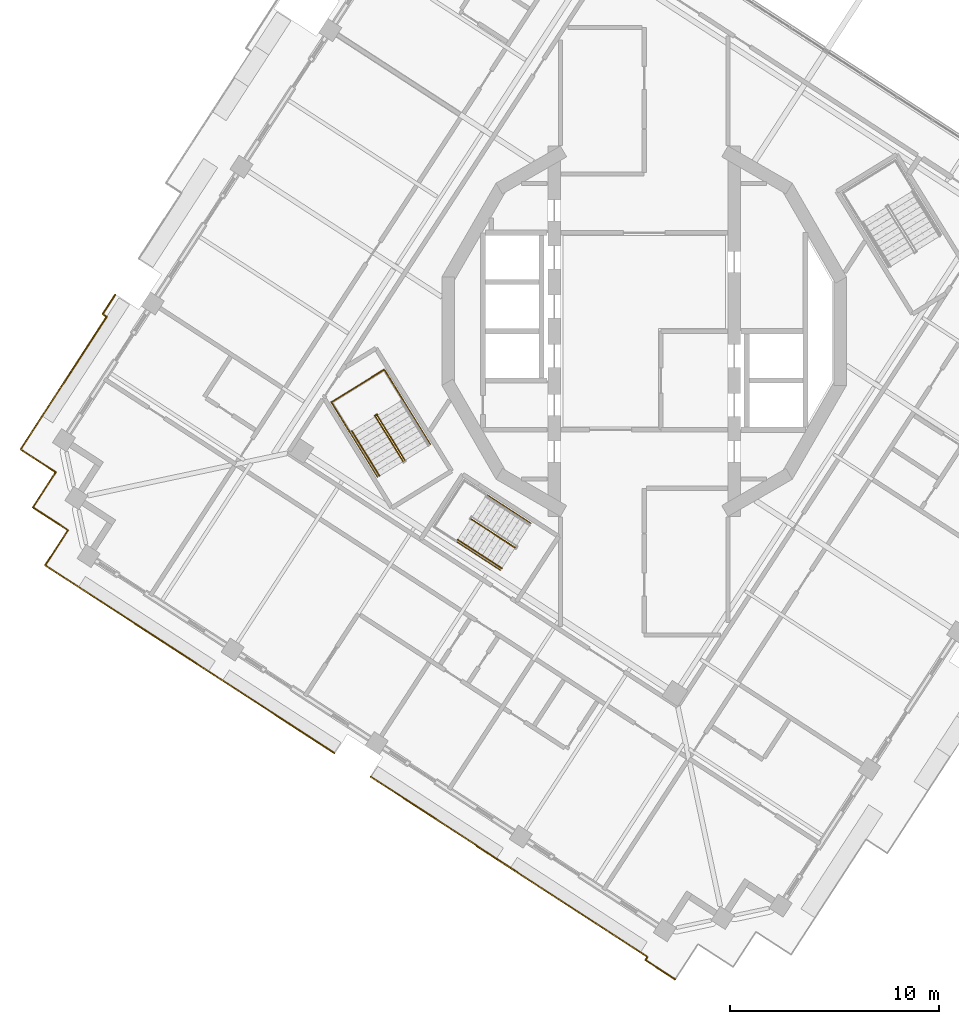
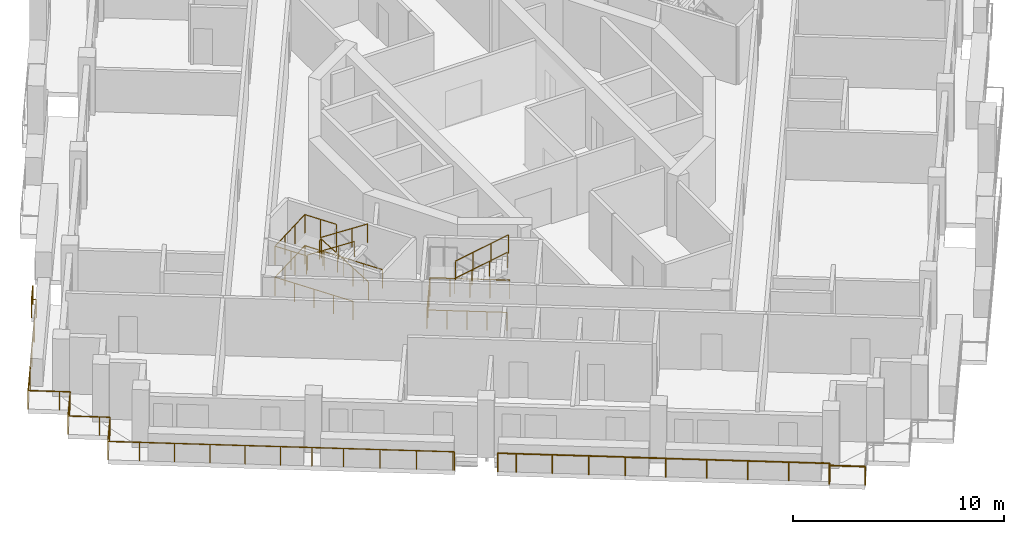
# One storey, part 13 of 17: 11 railings.
"""IFC4 building model written with IfcOpenShell, lengths in metres."""

import ifcopenshell
import ifcopenshell.guid

model = None  # the IFC model being written
_history = None  # IfcOwnerHistory: only IFC2X3 demands one
_inside = {}  # id of a spatial element -> (the spatial element, [elements in it])
_under = {}  # id of a project, library or spatial element -> (it, [spatial elements below it])
_declared = {}  # id of a project -> (the project, [libraries it declares])
_typed = {}  # id of a type object -> (the type object, [elements of that type])
_made_of = {}  # id of a material, layer set ... -> (it, [elements and type objects made of it])


def new_model(schema):
    """Start an empty IFC model of exactly this schema.

    Asked for "IFC4X3", IfcOpenShell would pick the latest addendum, in which some entities
    have other attributes; the version numbers below select the first issue.
    IFC2X3 requires an IfcOwnerHistory on every rooted entity: one is made here for all.
    """
    global model, _history
    if schema == "IFC4X3":
        model = ifcopenshell.file(schema_version=(4, 3, 0, 0))
    else:
        model = ifcopenshell.file(schema=schema)
    _inside.clear()
    _under.clear()
    _declared.clear()
    _typed.clear()
    _made_of.clear()
    _history = None
    if model.schema == "IFC2X3":
        org = make("IfcOrganization", Name="unknown")
        user = make(
            "IfcPersonAndOrganization",
            ThePerson=make("IfcPerson", FamilyName="unknown"),
            TheOrganization=org,
        )
        app = make(
            "IfcApplication",
            ApplicationDeveloper=org,
            Version="unknown",
            ApplicationFullName="unknown",
            ApplicationIdentifier="unknown",
        )
        _history = make(
            "IfcOwnerHistory",
            OwningUser=user,
            OwningApplication=app,
            ChangeAction="ADDED",
            CreationDate=0,
        )
    return model


def make(cls, **values):
    """One entity of the class cls with the attributes given. An attribute that is None is left unset."""
    return model.create_entity(
        cls, **{name: value for name, value in values.items() if value is not None}
    )


def rooted(cls, **values):
    """An entity with a GlobalId (a new one), such as an element, a storey or a relation."""
    return make(cls, GlobalId=ifcopenshell.guid.new(), OwnerHistory=_history, **values)


def si_unit(unit_type, name, prefix=None):
    """IfcSIUnit, for example si_unit("LENGTHUNIT", "METRE", prefix="MILLI")."""
    return make("IfcSIUnit", UnitType=unit_type, Prefix=prefix, Name=name)


def assignment(units):
    """IfcUnitAssignment: the units of a project."""
    return None if units is None else make("IfcUnitAssignment", Units=units)


def point(xyz):
    """IfcCartesianPoint."""
    return None if xyz is None else make("IfcCartesianPoint", Coordinates=xyz)


def direction(xyz):
    """IfcDirection."""
    return None if xyz is None else make("IfcDirection", DirectionRatios=xyz)


def frame(location, z_axis=None, x_axis=None):
    """IfcAxis2Placement3D, a coordinate frame: its origin and axes. An axis left out is left unset."""
    return make(
        "IfcAxis2Placement3D",
        Location=point(location),
        Axis=direction(z_axis),
        RefDirection=direction(x_axis),
    )


def frame_2d(location, x_axis=None):
    """IfcAxis2Placement2D, a coordinate frame in the plane: its origin and x axis."""
    return make(
        "IfcAxis2Placement2D", Location=point(location), RefDirection=direction(x_axis)
    )


def origin():
    """The frame at (0, 0, 0) with its axes left unset."""
    return frame((0.0, 0.0, 0.0))


def origin_2d():
    """The frame at (0, 0) in the plane with its x axis left unset."""
    return frame_2d((0.0, 0.0))


def place(relative_to, where):
    """IfcLocalPlacement: puts the frame where relative to a parent placement (None: the world)."""
    return make(
        "IfcLocalPlacement", PlacementRelTo=relative_to, RelativePlacement=where
    )


def context(
    kind, dimensions, precision=None, world=None, true_north=None, identifier=None
):
    """IfcGeometricRepresentationContext, for example the 3D "Model" context."""
    return make(
        "IfcGeometricRepresentationContext",
        ContextIdentifier=identifier,
        ContextType=kind,
        CoordinateSpaceDimension=dimensions,
        Precision=precision,
        WorldCoordinateSystem=world,
        TrueNorth=true_north,
    )


def subcontext(parent, identifier, kind, view, scale=None):
    """IfcGeometricRepresentationSubContext, for example "Body" below "Model"."""
    return make(
        "IfcGeometricRepresentationSubContext",
        ContextIdentifier=identifier,
        ContextType=kind,
        ParentContext=parent,
        TargetScale=scale,
        TargetView=view,
    )


def project(units=None, contexts=None):
    """IfcProject with its units and contexts."""
    return rooted(
        "IfcProject",
        Name="project",
        RepresentationContexts=contexts,
        UnitsInContext=assignment(units),
    )


def spatial(cls, under=None, at=None, **own):
    """A site, building, storey or space (cls), placed at a placement, below another one or the project."""
    s = rooted(cls, ObjectPlacement=at, **own)
    if under is not None:
        _under.setdefault(under.id(), (under, []))[1].append(s)
    return s


def profile(cls, at=None, kind="AREA", **sizes):
    """A parametric profile (cls). Its sizes go by their IFC names, for example OverallWidth=200.0."""
    return make(cls, ProfileType=kind, Position=at, **sizes)


def circle(**sizes):
    """IfcCircleProfileDef."""
    return profile("IfcCircleProfileDef", **sizes)


def extrude(swept, where, along, depth):
    """IfcExtrudedAreaSolid: the profile swept, set in the frame where, extruded along a direction by depth."""
    return make(
        "IfcExtrudedAreaSolid",
        SweptArea=swept,
        Position=where,
        ExtrudedDirection=direction(along),
        Depth=depth,
    )


def shape(context_of_items, identifier, shape_type, items):
    """IfcShapeRepresentation: the items that make up one representation, for example the "Body"."""
    return make(
        "IfcShapeRepresentation",
        ContextOfItems=context_of_items,
        RepresentationIdentifier=identifier,
        RepresentationType=shape_type,
        Items=items,
    )


def material(Name=None, Category=None):
    """IfcMaterial."""
    return make("IfcMaterial", Name=Name, Category=Category)


def made_of(thing, what):
    """Note that an element or type object is made of a material, layer set ...; save() writes the relation."""
    if what is not None:
        _made_of.setdefault(what.id(), (what, []))[1].append(thing)
    return thing


def type_object(cls, material=None, **own):
    """A type object (cls), such as IfcWallType, which elements share."""
    return made_of(rooted(cls, **own), material)


def element(
    cls,
    number,
    at=None,
    inside=None,
    cuts=None,
    type_object=None,
    material=None,
    context=None,
    identifier="Body",
    shape_type=None,
    held_by="IfcProductDefinitionShape",
    body=None,
    shapes=None,
    **own,
):
    """One element of the class cls, such as IfcWall. Its Tag is "e" and its number.

    at: its placement. inside: the storey or other place that contains it. cuts: it is an
    opening in that element (IfcRelVoidsElement). A single representation is given by context,
    identifier, shape_type and body (its items); several are given by shapes. held_by: the class
    of the entity that holds the representations. save() writes the other relations.
    """
    e = rooted(cls, Tag="e%d" % number, ObjectPlacement=at, **own)
    if body is not None:
        shapes = [shape(context, identifier, shape_type, body)]
    if shapes is not None:
        e.Representation = make(held_by, Representations=shapes)
    if inside is not None:
        _inside.setdefault(inside.id(), (inside, []))[1].append(e)
    if cuts is not None:
        rooted(
            "IfcRelVoidsElement", RelatingBuildingElement=cuts, RelatedOpeningElement=e
        )
    if type_object is not None:
        _typed.setdefault(type_object.id(), (type_object, []))[1].append(e)
    return made_of(e, material)


def aggregate(whole, parts):
    """IfcRelAggregates: a whole, such as a stair, and the parts it consists of."""
    return rooted("IfcRelAggregates", RelatingObject=whole, RelatedObjects=parts)


def save(model, path):
    """Write the relations noted so far, then the file.

    IfcRelAggregates (storeys below a building ...), IfcRelContainedInSpatialStructure (elements
    in a storey), IfcRelDefinesByType, IfcRelAssociatesMaterial and IfcRelDeclares: one each for
    every whole, place, type object, material and project.
    """
    for whole, parts in _under.values():
        aggregate(whole, parts)
    for where, things in _inside.values():
        rooted(
            "IfcRelContainedInSpatialStructure",
            RelatedElements=things,
            RelatingStructure=where,
        )
    for kind, things in _typed.values():
        rooted("IfcRelDefinesByType", RelatedObjects=things, RelatingType=kind)
    for what, things in _made_of.values():
        rooted("IfcRelAssociatesMaterial", RelatedObjects=things, RelatingMaterial=what)
    for by, libraries in _declared.values():
        rooted("IfcRelDeclares", RelatingContext=by, RelatedDefinitions=libraries)
    model.write(path)


model = new_model("IFC4")

# Units and contexts
model_context = context("Model", 3, precision=1e-05, world=origin(), true_north=direction((0.0, 1.0)))
body_context = subcontext(model_context, "Body", "Model", "MODEL_VIEW")
ifc_project = project(units=[si_unit("LENGTHUNIT", "METRE"), si_unit("AREAUNIT", "SQUARE_METRE"), si_unit("VOLUMEUNIT", "CUBIC_METRE"), si_unit("PLANEANGLEUNIT", "RADIAN"), si_unit("MASSUNIT", "GRAM", prefix="KILO")], contexts=[model_context])

# Site, building, storey
site_placement = place(None, origin())
site = spatial("IfcSite", under=ifc_project, at=site_placement, CompositionType="ELEMENT")
building_placement = place(site_placement, origin())
building = spatial("IfcBuilding", under=site, at=building_placement, Name="Cantera Rosa Tower", CompositionType="ELEMENT")
storey_placement = place(building_placement, frame((0.0, 0.0, 275.699951171875)))
storey = spatial("IfcBuildingStorey", under=building, at=storey_placement, Name="L62", CompositionType="ELEMENT", Elevation=275.699951171875)

# Railings
ifc_material_1 = material(Name="Stainless steel and laminated glass", Category="steel")
railing_type_1 = type_object("IfcRailingType", Name="GUARD 1100", PredefinedType="BALUSTRADE", material=ifc_material_1)
railing_1_placement = place(storey_placement, frame((-28.3720703125, -7.151123046875, 0.0)))
element("IfcRailing", 1, at=railing_1_placement, inside=storey, type_object=railing_type_1, Name="GUARD L62-1", PredefinedType="BALUSTRADE", context=body_context, shape_type="SweptSolid", body=[
    extrude(circle(Radius=0.030029296875, at=origin_2d()), frame((0.0, 0.0, 1.070068359375), z_axis=(0.544627753175, 0.83867789435, 0.0), x_axis=(-0.83867789435, 0.544627753175, 0.0)), (0.0, 0.0, 1.0), 0.499755859375),
    extrude(circle(Radius=0.030029296875, at=origin_2d()), frame((0.272216796875, 0.419189453125, 1.070068359375), z_axis=(-0.838454772945, 0.544971186143, 0.0), x_axis=(-0.544971186143, -0.838454772945, 0.0)), (0.0, 0.0, 1.0), 0.5),
    extrude(circle(Radius=0.030029296875, at=origin_2d()), frame((-0.14697265625, 0.691650390625, 1.070068359375), z_axis=(-0.8387001057, 0.544593548161, 0.0), x_axis=(-0.544593548161, -0.8387001057, 0.0)), (0.0, 0.0, 1.0), 1.5),
    extrude(circle(Radius=0.030029296875, at=origin_2d()), frame((-1.405029296875, 1.508544921875, 1.070068359375), z_axis=(0.544593548161, 0.8387001057, 0.0), x_axis=(-0.8387001057, 0.544593548161, 0.0)), (0.0, 0.0, 1.0), 1.5),
    extrude(circle(Radius=0.030029296875, at=origin_2d()), frame((-0.588134765625, 2.7666015625, 1.070068359375), z_axis=(0.544663344191, 0.838654780881, 0.0), x_axis=(-0.838654780881, 0.544663344191, 0.0)), (0.0, 0.0, 1.0), 6.047119140625),
    extrude(circle(Radius=0.030029296875, at=origin_2d()), frame((2.70556640625, 7.838134765625, 1.070068359375), z_axis=(-0.838922465859, 0.544250949726, 0.0), x_axis=(-0.544250949726, -0.838922465859, 0.0)), (0.0, 0.0, 1.0), 0.23291015625),
    extrude(circle(Radius=0.030029296875, at=origin_2d()), frame((2.51025390625, 7.96484375, 1.070068359375), z_axis=(0.544544776957, 0.838731772314, 0.0), x_axis=(-0.838731772314, 0.544544776957, 0.0)), (0.0, 0.0, 1.0), 1.10302734375),
    extrude(circle(Radius=0.02490234375, at=origin_2d()), origin(), (0.0, 0.0, 1.0), 1.0400390625),
    extrude(circle(Radius=0.02490234375, at=origin_2d()), frame((0.272216796875, 0.419189453125, 0.0)), (0.0, 0.0, 1.0), 1.0400390625),
    extrude(circle(Radius=0.02490234375, at=origin_2d()), frame((-0.14697265625, 0.691650390625, 0.0)), (0.0, 0.0, 1.0), 1.0400390625),
    extrude(circle(Radius=0.02490234375, at=origin_2d()), frame((-1.405029296875, 1.508544921875, 0.0)), (0.0, 0.0, 1.0), 1.0400390625),
    extrude(circle(Radius=0.02490234375, at=origin_2d()), frame((-0.588134765625, 2.7666015625, 0.0)), (0.0, 0.0, 1.0), 1.0400390625),
    extrude(circle(Radius=0.02490234375, at=origin_2d()), frame((0.509765625, 4.45703125, 0.0)), (0.0, 0.0, 1.0), 1.0400390625),
    extrude(circle(Radius=0.02490234375, at=origin_2d()), frame((1.607666015625, 6.147705078125, 0.0)), (0.0, 0.0, 1.0), 1.0400390625),
    extrude(circle(Radius=0.02490234375, at=origin_2d()), frame((2.70556640625, 7.838134765625, 0.0)), (0.0, 0.0, 1.0), 1.0400390625),
    extrude(circle(Radius=0.02490234375, at=origin_2d()), frame((2.51025390625, 7.96484375, 0.0)), (0.0, 0.0, 1.0), 1.0400390625),
    extrude(circle(Radius=0.02490234375, at=origin_2d()), frame((3.11083984375, 8.889892578125, 0.0)), (0.0, 0.0, 1.0), 1.0400390625),
])
railing_2_placement = place(storey_placement, frame((-14.7880859375, -20.14599609375, 0.0)))
element("IfcRailing", 2, at=railing_2_placement, inside=storey, type_object=railing_type_1, Name="GUARD L62-2", PredefinedType="BALUSTRADE", context=body_context, shape_type="SweptSolid", body=[
    extrude(circle(Radius=0.030029296875, at=origin_2d()), frame((0.0, 0.0, 1.070068359375), z_axis=(-0.838443616301, 0.544988350595, 0.0), x_axis=(-0.544988350595, -0.838443616301, 0.0)), (0.0, 0.0, 1.0), 0.06982421875),
    extrude(circle(Radius=0.030029296875, at=origin_2d()), frame((-0.05859375, 0.0380859375, 1.070068359375), z_axis=(-0.838657010828, 0.544659910576, 0.0), x_axis=(-0.544659910576, -0.838657010828, 0.0)), (0.0, 0.0, 1.0), 5.2001953125),
    extrude(circle(Radius=0.030029296875, at=origin_2d()), frame((-4.419677734375, 2.870361328125, 1.070068359375), z_axis=(-0.8387001057, 0.544593548161, 0.0), x_axis=(-0.544593548161, -0.8387001057, 0.0)), (0.0, 0.0, 1.0), 3.0),
    extrude(circle(Radius=0.030029296875, at=origin_2d()), frame((-6.935791015625, 4.504150390625, 1.070068359375), z_axis=(-0.838666659313, 0.544645053734, 0.0), x_axis=(-0.544645053734, -0.838666659313, 0.0)), (0.0, 0.0, 1.0), 6.7001953125),
    extrude(circle(Radius=0.030029296875, at=origin_2d()), frame((-12.554931640625, 8.1533203125, 1.070068359375), z_axis=(-0.838651824232, 0.544667896716, 0.0), x_axis=(-0.544667896716, -0.838651824232, 0.0)), (0.0, 0.0, 1.0), 1.499755859375),
    extrude(circle(Radius=0.030029296875, at=origin_2d()), frame((-13.812744140625, 8.97021484375, 1.070068359375), z_axis=(0.544593548161, 0.8387001057, 0.0), x_axis=(-0.8387001057, 0.544593548161, 0.0)), (0.0, 0.0, 1.0), 1.5),
    extrude(circle(Radius=0.030029296875, at=origin_2d()), frame((-12.995849609375, 10.228271484375, 1.070068359375), z_axis=(0.544627753175, 0.83867789435, 0.0), x_axis=(-0.83867789435, 0.544627753175, 0.0)), (0.0, 0.0, 1.0), 0.499755859375),
    extrude(circle(Radius=0.030029296875, at=origin_2d()), frame((-12.7236328125, 10.6474609375, 1.070068359375), z_axis=(-0.838454772945, 0.544971186143, 0.0), x_axis=(-0.544971186143, -0.838454772945, 0.0)), (0.0, 0.0, 1.0), 0.5),
    extrude(circle(Radius=0.030029296875, at=origin_2d()), frame((-13.142822265625, 10.919921875, 1.070068359375), z_axis=(-0.8387001057, 0.544593548161, 0.0), x_axis=(-0.544593548161, -0.8387001057, 0.0)), (0.0, 0.0, 1.0), 1.5),
    extrude(circle(Radius=0.030029296875, at=origin_2d()), frame((-14.40087890625, 11.73681640625, 1.070068359375), z_axis=(0.544593548161, 0.8387001057, 0.0), x_axis=(-0.8387001057, 0.544593548161, 0.0)), (0.0, 0.0, 1.0), 1.5),
    extrude(circle(Radius=0.02490234375, at=origin_2d()), origin(), (0.0, 0.0, 1.0), 1.0400390625),
    extrude(circle(Radius=0.02490234375, at=origin_2d()), frame((-0.05859375, 0.0380859375, 0.0)), (0.0, 0.0, 1.0), 1.0400390625),
    extrude(circle(Radius=0.02490234375, at=origin_2d()), frame((-1.51220703125, 0.982177734375, 0.0)), (0.0, 0.0, 1.0), 1.0400390625),
    extrude(circle(Radius=0.02490234375, at=origin_2d()), frame((-2.966064453125, 1.92626953125, 0.0)), (0.0, 0.0, 1.0), 1.0400390625),
    extrude(circle(Radius=0.02490234375, at=origin_2d()), frame((-4.419677734375, 2.870361328125, 0.0)), (0.0, 0.0, 1.0), 1.0400390625),
    extrude(circle(Radius=0.02490234375, at=origin_2d()), frame((-5.677734375, 3.687255859375, 0.0)), (0.0, 0.0, 1.0), 1.0400390625),
    extrude(circle(Radius=0.02490234375, at=origin_2d()), frame((-6.935791015625, 4.504150390625, 0.0)), (0.0, 0.0, 1.0), 1.0400390625),
    extrude(circle(Radius=0.02490234375, at=origin_2d()), frame((-8.340576171875, 5.41650390625, 0.0)), (0.0, 0.0, 1.0), 1.0400390625),
    extrude(circle(Radius=0.02490234375, at=origin_2d()), frame((-9.745361328125, 6.32861328125, 0.0)), (0.0, 0.0, 1.0), 1.0400390625),
    extrude(circle(Radius=0.02490234375, at=origin_2d()), frame((-11.150146484375, 7.240966796875, 0.0)), (0.0, 0.0, 1.0), 1.0400390625),
    extrude(circle(Radius=0.02490234375, at=origin_2d()), frame((-12.554931640625, 8.1533203125, 0.0)), (0.0, 0.0, 1.0), 1.0400390625),
    extrude(circle(Radius=0.02490234375, at=origin_2d()), frame((-13.812744140625, 8.97021484375, 0.0)), (0.0, 0.0, 1.0), 1.0400390625),
    extrude(circle(Radius=0.02490234375, at=origin_2d()), frame((-12.995849609375, 10.228271484375, 0.0)), (0.0, 0.0, 1.0), 1.0400390625),
    extrude(circle(Radius=0.02490234375, at=origin_2d()), frame((-12.7236328125, 10.6474609375, 0.0)), (0.0, 0.0, 1.0), 1.0400390625),
    extrude(circle(Radius=0.02490234375, at=origin_2d()), frame((-13.142822265625, 10.919921875, 0.0)), (0.0, 0.0, 1.0), 1.0400390625),
    extrude(circle(Radius=0.02490234375, at=origin_2d()), frame((-14.40087890625, 11.73681640625, 0.0)), (0.0, 0.0, 1.0), 1.0400390625),
    extrude(circle(Radius=0.02490234375, at=origin_2d()), frame((-13.583984375, 12.994873046875, 0.0)), (0.0, 0.0, 1.0), 1.0400390625),
])
railing_3_placement = place(storey_placement, frame((1.482177734375, -30.950439453125, 0.0)))
element("IfcRailing", 3, at=railing_3_placement, inside=storey, type_object=railing_type_1, Name="GUARD L62-5", PredefinedType="BALUSTRADE", context=body_context, shape_type="SweptSolid", body=[
    extrude(circle(Radius=0.030029296875, at=origin_2d()), frame((0.0, 0.0, 1.070068359375), z_axis=(-0.838663412569, 0.54465005317, 0.0), x_axis=(-0.54465005317, -0.838663412569, 0.0)), (0.0, 0.0, 1.0), 1.69970703125),
    extrude(circle(Radius=0.030029296875, at=origin_2d()), frame((-1.425537109375, 0.92578125, 1.070068359375), z_axis=(0.544370967285, 0.838844592268, 0.0), x_axis=(-0.838844592268, 0.544370967285, 0.0)), (0.0, 0.0, 1.0), 0.1806640625),
    extrude(circle(Radius=0.030029296875, at=origin_2d()), frame((-1.3271484375, 1.077392578125, 1.070068359375), z_axis=(-0.838675395149, 0.544631601702, 0.0), x_axis=(-0.544631601702, -0.838675395149, 0.0)), (0.0, 0.0, 1.0), 9.71923828125),
    extrude(circle(Radius=0.030029296875, at=origin_2d()), frame((-9.478515625, 6.370849609375, 1.070068359375), z_axis=(0.545880477365, 0.837863058281, 0.0), x_axis=(-0.837863058281, 0.545880477365, 0.0)), (0.0, 0.0, 1.0), 0.019287109375),
    extrude(circle(Radius=0.030029296875, at=origin_2d()), frame((-9.468017578125, 6.386962890625, 1.070068359375), z_axis=(-0.838659954682, 0.54465537766, 0.0), x_axis=(-0.54465537766, -0.838659954682, 0.0)), (0.0, 0.0, 1.0), 5.180908203125),
    extrude(circle(Radius=0.030029296875, at=origin_2d()), frame((-13.81298828125, 9.208740234375, 1.070068359375), z_axis=(-0.838725681888, 0.544554157584, 0.0), x_axis=(-0.544554157584, -0.838725681888, 0.0)), (0.0, 0.0, 1.0), 0.869873046875),
    extrude(circle(Radius=0.02490234375, at=origin_2d()), origin(), (0.0, 0.0, 1.0), 1.0400390625),
    extrude(circle(Radius=0.02490234375, at=origin_2d()), frame((-1.425537109375, 0.92578125, 0.0)), (0.0, 0.0, 1.0), 1.0400390625),
    extrude(circle(Radius=0.02490234375, at=origin_2d()), frame((-1.3271484375, 1.077392578125, 0.0)), (0.0, 0.0, 1.0), 1.0400390625),
    extrude(circle(Radius=0.02490234375, at=origin_2d()), frame((-2.95751953125, 2.135986328125, 0.0)), (0.0, 0.0, 1.0), 1.0400390625),
    extrude(circle(Radius=0.02490234375, at=origin_2d()), frame((-4.587646484375, 3.19482421875, 0.0)), (0.0, 0.0, 1.0), 1.0400390625),
    extrude(circle(Radius=0.02490234375, at=origin_2d()), frame((-6.218017578125, 4.25341796875, 0.0)), (0.0, 0.0, 1.0), 1.0400390625),
    extrude(circle(Radius=0.02490234375, at=origin_2d()), frame((-7.84814453125, 5.312255859375, 0.0)), (0.0, 0.0, 1.0), 1.0400390625),
    extrude(circle(Radius=0.02490234375, at=origin_2d()), frame((-9.478515625, 6.370849609375, 0.0)), (0.0, 0.0, 1.0), 1.0400390625),
    extrude(circle(Radius=0.02490234375, at=origin_2d()), frame((-9.468017578125, 6.386962890625, 0.0)), (0.0, 0.0, 1.0), 1.0400390625),
    extrude(circle(Radius=0.02490234375, at=origin_2d()), frame((-10.916259765625, 7.32763671875, 0.0)), (0.0, 0.0, 1.0), 1.0400390625),
    extrude(circle(Radius=0.02490234375, at=origin_2d()), frame((-12.36474609375, 8.26806640625, 0.0)), (0.0, 0.0, 1.0), 1.0400390625),
    extrude(circle(Radius=0.02490234375, at=origin_2d()), frame((-13.81298828125, 9.208740234375, 0.0)), (0.0, 0.0, 1.0), 1.0400390625),
    extrude(circle(Radius=0.02490234375, at=origin_2d()), frame((-14.54248046875, 9.682373046875, 0.0)), (0.0, 0.0, 1.0), 1.0400390625),
])
ifc_material_2 = material(Name="Steel S355J2 (EN 10025-2)", Category="steel")
railing_type_2 = type_object("IfcRailingType", Name="STAIR GUARD 1100", PredefinedType="GUARDRAIL", material=ifc_material_2)
railing_4_placement = place(storey_placement, frame((-11.42333984375, -6.165771484375, 0.179931640625)))
element("IfcRailing", 4, at=railing_4_placement, inside=storey, type_object=railing_type_2, Name="L62 ST-52 stair guard 1", PredefinedType="GUARDRAIL", context=body_context, shape_type="SweptSolid", body=[
    extrude(circle(Radius=0.02392578125, at=origin_2d()), frame((0.0, 0.0, 1.076171875), z_axis=(-0.441609067481, 0.715913574058, 0.540785711718), x_axis=(-0.851102330005, -0.524999832248, 0.0)), (0.0, 0.0, 1.0), 2.995849609375),
    extrude(circle(Radius=0.02392578125, at=origin_2d()), frame((-1.322998046875, 2.144775390625, 2.6962890625), z_axis=(-0.073711968402, 0.997279572494, 0.0), x_axis=(-0.997279572494, -0.073711968402, 0.0)), (0.0, 0.0, 1.0), 0.056396484375),
    extrude(circle(Radius=0.02392578125, at=origin_2d()), frame((-1.3271484375, 2.200927734375, 2.6962890625), z_axis=(-0.851546489876, -0.524279100842, 0.0), x_axis=(0.524279100842, -0.851546489876, 0.0)), (0.0, 0.0, 1.0), 0.14990234375),
    extrude(circle(Radius=0.02099609375, at=origin_2d()), origin(), (0.0, 0.0, 1.0), 1.052001953125),
    extrude(circle(Radius=0.02099609375, at=origin_2d()), frame((-0.44091796875, 0.71484375, 0.5400390625)), (0.0, 0.0, 1.0), 1.052001953125),
    extrude(circle(Radius=0.02099609375, at=origin_2d()), frame((-0.882080078125, 1.429931640625, 1.080078125)), (0.0, 0.0, 1.0), 1.052001953125),
    extrude(circle(Radius=0.02099609375, at=origin_2d()), frame((-1.322998046875, 2.144775390625, 1.6201171875)), (0.0, 0.0, 1.0), 1.052001953125),
    extrude(circle(Radius=0.02099609375, at=origin_2d()), frame((-1.3271484375, 2.200927734375, 1.6201171875)), (0.0, 0.0, 1.0), 1.052001953125),
    extrude(circle(Radius=0.02099609375, at=origin_2d()), frame((-1.454833984375, 2.122314453125, 1.6201171875)), (0.0, 0.0, 1.0), 1.052001953125),
])
railing_5_placement = place(storey_placement, frame((-12.82958984375, -4.072509765625, 1.97998046875)))
element("IfcRailing", 5, at=railing_5_placement, inside=storey, type_object=railing_type_2, Name="L62 ST-52 stair guard 2", PredefinedType="GUARDRAIL", context=body_context, shape_type="SweptSolid", body=[
    extrude(circle(Radius=0.02392578125, at=origin_2d()), frame((0.0, 0.0, 1.076171875), z_axis=(0.44154346381, -0.715939337315, 0.540805172729), x_axis=(0.851145618652, 0.524929648476, 0.0)), (0.0, 0.0, 1.0), 2.995849609375),
    extrude(circle(Radius=0.02099609375, at=origin_2d()), origin(), (0.0, 0.0, 1.0), 1.052001953125),
    extrude(circle(Radius=0.02099609375, at=origin_2d()), frame((0.44091796875, -0.71484375, 0.5400390625)), (0.0, 0.0, 1.0), 1.052001953125),
    extrude(circle(Radius=0.02099609375, at=origin_2d()), frame((0.8818359375, -1.429931640625, 1.080078125)), (0.0, 0.0, 1.0), 1.052001953125),
    extrude(circle(Radius=0.02099609375, at=origin_2d()), frame((1.32275390625, -2.144775390625, 1.6201171875)), (0.0, 0.0, 1.0), 1.052001953125),
])
railing_6_placement = place(storey_placement, frame((-10.20751953125, -5.40185546875, 0.0)))
element("IfcRailing", 6, at=railing_6_placement, inside=storey, type_object=railing_type_2, Name="L62 ST-52 stair guard 4", PredefinedType="GUARDRAIL", context=body_context, shape_type="SweptSolid", body=[
    extrude(circle(Radius=0.02392578125, at=origin_2d()), frame((0.0, 0.0, 1.076171875), z_axis=(-0.524976478809, 0.851116735059, 0.0), x_axis=(-0.851116735059, -0.524976478809, 0.0)), (0.0, 0.0, 1.0), 4.197998046875),
    extrude(circle(Radius=0.02392578125, at=origin_2d()), frame((-2.203857421875, 3.572998046875, 1.076171875), z_axis=(-0.851132917336, -0.524950242429, 0.0), x_axis=(0.524950242429, -0.851132917336, 0.0)), (0.0, 0.0, 1.0), 2.969970703125),
    extrude(circle(Radius=0.02392578125, at=origin_2d()), frame((-4.731689453125, 2.013916015625, 1.076171875), z_axis=(0.524976478809, -0.851116735059, 0.0), x_axis=(0.851116735059, 0.524976478809, 0.0)), (0.0, 0.0, 1.0), 4.197998046875),
    extrude(circle(Radius=0.02099609375, at=origin_2d()), origin(), (0.0, 0.0, 1.0), 1.052001953125),
    extrude(circle(Radius=0.02099609375, at=origin_2d()), frame((-0.551025390625, 0.893310546875, 0.0)), (0.0, 0.0, 1.0), 1.052001953125),
    extrude(circle(Radius=0.02099609375, at=origin_2d()), frame((-1.10205078125, 1.78662109375, 0.0)), (0.0, 0.0, 1.0), 1.052001953125),
    extrude(circle(Radius=0.02099609375, at=origin_2d()), frame((-1.65283203125, 2.6796875, 0.0)), (0.0, 0.0, 1.0), 1.052001953125),
    extrude(circle(Radius=0.02099609375, at=origin_2d()), frame((-2.203857421875, 3.572998046875, 0.0)), (0.0, 0.0, 1.0), 1.052001953125),
    extrude(circle(Radius=0.02099609375, at=origin_2d()), frame((-3.04638671875, 3.05322265625, 0.0)), (0.0, 0.0, 1.0), 1.052001953125),
    extrude(circle(Radius=0.02099609375, at=origin_2d()), frame((-3.88916015625, 2.53369140625, 0.0)), (0.0, 0.0, 1.0), 1.052001953125),
    extrude(circle(Radius=0.02099609375, at=origin_2d()), frame((-4.731689453125, 2.013916015625, 0.0)), (0.0, 0.0, 1.0), 1.052001953125),
    extrude(circle(Radius=0.02099609375, at=origin_2d()), frame((-4.1806640625, 1.12060546875, 0.0)), (0.0, 0.0, 1.0), 1.052001953125),
    extrude(circle(Radius=0.02099609375, at=origin_2d()), frame((-3.6298828125, 0.2275390625, 0.0)), (0.0, 0.0, 1.0), 1.052001953125),
    extrude(circle(Radius=0.02099609375, at=origin_2d()), frame((-3.078857421875, -0.665771484375, 0.0)), (0.0, 0.0, 1.0), 1.052001953125),
    extrude(circle(Radius=0.02099609375, at=origin_2d()), frame((-2.52783203125, -1.55908203125, 0.0)), (0.0, 0.0, 1.0), 1.052001953125),
])
railing_7_placement = place(storey_placement, frame((-11.517822265625, -3.27734375, 1.800048828125)))
element("IfcRailing", 7, at=railing_7_placement, inside=storey, type_object=railing_type_2, Name="L62 ST-52 stair guard 5", PredefinedType="GUARDRAIL", context=body_context, shape_type="SweptSolid", body=[
    extrude(circle(Radius=0.02392578125, at=origin_2d()), frame((0.0, 0.0, 1.076171875), z_axis=(-0.525025534833, 0.851086474909, 0.0), x_axis=(-0.851086474909, -0.525025534833, 0.0)), (0.0, 0.0, 1.0), 1.701904296875),
    extrude(circle(Radius=0.02392578125, at=origin_2d()), frame((-0.8935546875, 1.448486328125, 1.076171875), z_axis=(-0.851132917336, -0.524950242429, 0.0), x_axis=(0.524950242429, -0.851132917336, 0.0)), (0.0, 0.0, 1.0), 2.969970703125),
    extrude(circle(Radius=0.02392578125, at=origin_2d()), frame((-3.42138671875, -0.110595703125, 1.076171875), z_axis=(0.524961441845, -0.851126009811, 0.0), x_axis=(0.851126009811, 0.524961441845, 0.0)), (0.0, 0.0, 1.0), 1.7021484375),
    extrude(circle(Radius=0.02099609375, at=origin_2d()), origin(), (0.0, 0.0, 1.0), 1.052001953125),
    extrude(circle(Radius=0.02099609375, at=origin_2d()), frame((-0.44677734375, 0.72412109375, 0.0)), (0.0, 0.0, 1.0), 1.052001953125),
    extrude(circle(Radius=0.02099609375, at=origin_2d()), frame((-0.8935546875, 1.448486328125, 0.0)), (0.0, 0.0, 1.0), 1.052001953125),
    extrude(circle(Radius=0.02099609375, at=origin_2d()), frame((-1.736083984375, 0.9287109375, 0.0)), (0.0, 0.0, 1.0), 1.052001953125),
    extrude(circle(Radius=0.02099609375, at=origin_2d()), frame((-2.578857421875, 0.4091796875, 0.0)), (0.0, 0.0, 1.0), 1.052001953125),
    extrude(circle(Radius=0.02099609375, at=origin_2d()), frame((-3.42138671875, -0.110595703125, 0.0)), (0.0, 0.0, 1.0), 1.052001953125),
    extrude(circle(Radius=0.02099609375, at=origin_2d()), frame((-2.974609375, -0.8349609375, 0.0)), (0.0, 0.0, 1.0), 1.052001953125),
    extrude(circle(Radius=0.02099609375, at=origin_2d()), frame((-2.52783203125, -1.559326171875, 0.0)), (0.0, 0.0, 1.0), 1.052001953125),
])
railing_8_placement = place(storey_placement, frame((-8.270751953125, -8.963134765625, 1.97998046875)))
element("IfcRailing", 8, at=railing_8_placement, inside=storey, type_object=railing_type_2, Name="L62 ST-53 stair guard 2", PredefinedType="GUARDRAIL", context=body_context, shape_type="SweptSolid", body=[
    extrude(circle(Radius=0.02392578125, at=origin_2d()), frame((0.0, 0.0, 1.076171875), z_axis=(0.705447416084, -0.4581007308, 0.540821286175), x_axis=(0.54462048956, 0.838682611213, 0.0)), (0.0, 0.0, 1.0), 2.99560546875),
    extrude(circle(Radius=0.02099609375, at=origin_2d()), origin(), (0.0, 0.0, 1.0), 1.052001953125),
    extrude(circle(Radius=0.02099609375, at=origin_2d()), frame((0.704345703125, -0.45751953125, 0.5400390625)), (0.0, 0.0, 1.0), 1.052001953125),
    extrude(circle(Radius=0.02099609375, at=origin_2d()), frame((1.408935546875, -0.914794921875, 1.080078125)), (0.0, 0.0, 1.0), 1.052001953125),
    extrude(circle(Radius=0.02099609375, at=origin_2d()), frame((2.11328125, -1.372314453125, 1.6201171875)), (0.0, 0.0, 1.0), 1.052001953125),
])
railing_9_placement = place(storey_placement, frame((-5.41357421875, -9.168212890625, 0.0)))
element("IfcRailing", 9, at=railing_9_placement, inside=storey, type_object=railing_type_2, Name="L62 ST-53 stair guard 4", PredefinedType="GUARDRAIL", context=body_context, shape_type="SweptSolid", body=[
    extrude(circle(Radius=0.02392578125, at=origin_2d()), frame((0.0, 0.0, 1.076171875), z_axis=(-0.838665308336, 0.544647134018, 0.0), x_axis=(-0.544647134018, -0.838665308336, 0.0)), (0.0, 0.0, 1.0), 3.798095703125),
    extrude(circle(Radius=0.02392578125, at=origin_2d()), frame((-3.185302734375, 2.068603515625, 1.076171875), z_axis=(-0.544679779991, -0.838644106442, 0.0), x_axis=(0.838644106442, -0.544679779991, 0.0)), (0.0, 0.0, 1.0), 2.670166015625),
    extrude(circle(Radius=0.02392578125, at=origin_2d()), frame((-4.6396484375, -0.170654296875, 1.076171875), z_axis=(0.838665308336, -0.544647134018, 0.0), x_axis=(0.544647134018, 0.838665308336, 0.0)), (0.0, 0.0, 1.0), 3.798095703125),
    extrude(circle(Radius=0.02099609375, at=origin_2d()), origin(), (0.0, 0.0, 1.0), 1.052001953125),
    extrude(circle(Radius=0.02099609375, at=origin_2d()), frame((-0.79638671875, 0.51708984375, 0.0)), (0.0, 0.0, 1.0), 1.052001953125),
    extrude(circle(Radius=0.02099609375, at=origin_2d()), frame((-1.5927734375, 1.0341796875, 0.0)), (0.0, 0.0, 1.0), 1.052001953125),
    extrude(circle(Radius=0.02099609375, at=origin_2d()), frame((-2.388916015625, 1.551513671875, 0.0)), (0.0, 0.0, 1.0), 1.052001953125),
    extrude(circle(Radius=0.02099609375, at=origin_2d()), frame((-3.185302734375, 2.068603515625, 0.0)), (0.0, 0.0, 1.0), 1.052001953125),
    extrude(circle(Radius=0.02099609375, at=origin_2d()), frame((-3.670166015625, 1.322265625, 0.0)), (0.0, 0.0, 1.0), 1.052001953125),
    extrude(circle(Radius=0.02099609375, at=origin_2d()), frame((-4.15478515625, 0.57568359375, 0.0)), (0.0, 0.0, 1.0), 1.052001953125),
    extrude(circle(Radius=0.02099609375, at=origin_2d()), frame((-4.6396484375, -0.170654296875, 0.0)), (0.0, 0.0, 1.0), 1.052001953125),
    extrude(circle(Radius=0.02099609375, at=origin_2d()), frame((-3.84326171875, -0.687744140625, 0.0)), (0.0, 0.0, 1.0), 1.052001953125),
    extrude(circle(Radius=0.02099609375, at=origin_2d()), frame((-3.046875, -1.205078125, 0.0)), (0.0, 0.0, 1.0), 1.052001953125),
    extrude(circle(Radius=0.02099609375, at=origin_2d()), frame((-2.250732421875, -1.72216796875, 0.0)), (0.0, 0.0, 1.0), 1.052001953125),
    extrude(circle(Radius=0.02099609375, at=origin_2d()), frame((-1.454345703125, -2.2392578125, 0.0)), (0.0, 0.0, 1.0), 1.052001953125),
])
ifc_material_3 = material(Name="Steel S355J2 (EN 10025-2)", Category="steel")
railing_type_3 = type_object("IfcRailingType", Name="STAIR HANDRAIL 900", PredefinedType="HANDRAIL", material=ifc_material_3)
railing_10_placement = place(storey_placement, frame((-13.958251953125, -4.7685546875, 1.97998046875)))
element("IfcRailing", 10, at=railing_10_placement, inside=storey, type_object=railing_type_3, Name="L62 ST-52 stair handrail 2", PredefinedType="HANDRAIL", context=body_context, shape_type="SweptSolid", body=[
    extrude(circle(Radius=0.02392578125, at=origin_2d()), frame((0.0, 0.0, 0.8759765625), z_axis=(0.441609067481, -0.715913574058, 0.540785711718), x_axis=(0.851102330005, 0.524999832248, 0.0)), (0.0, 0.0, 1.0), 2.995849609375),
    extrude(circle(Radius=0.02099609375, at=origin_2d()), origin(), (0.0, 0.0, 1.0), 0.851806640625),
    extrude(circle(Radius=0.02099609375, at=origin_2d()), frame((0.44091796875, -0.71484375, 0.5400390625)), (0.0, 0.0, 1.0), 0.851806640625),
    extrude(circle(Radius=0.02099609375, at=origin_2d()), frame((0.882080078125, -1.429931640625, 1.080078125)), (0.0, 0.0, 1.0), 0.851806640625),
    extrude(circle(Radius=0.02099609375, at=origin_2d()), frame((1.322998046875, -2.144775390625, 1.6201171875)), (0.0, 0.0, 1.0), 0.851806640625),
])
railing_11_placement = place(storey_placement, frame((-8.911376953125, -9.94921875, 1.97998046875)))
element("IfcRailing", 11, at=railing_11_placement, inside=storey, type_object=railing_type_3, Name="L62 ST-53 stair handrail 2", PredefinedType="HANDRAIL", context=body_context, shape_type="SweptSolid", body=[
    extrude(circle(Radius=0.02392578125, at=origin_2d()), frame((0.0, 0.0, 0.8759765625), z_axis=(0.705462015847, -0.458138784, 0.540770005448), x_axis=(0.544644381691, 0.838667095749, 0.0)), (0.0, 0.0, 1.0), 2.995849609375),
    extrude(circle(Radius=0.02099609375, at=origin_2d()), origin(), (0.0, 0.0, 1.0), 0.851806640625),
    extrude(circle(Radius=0.02099609375, at=origin_2d()), frame((0.70458984375, -0.45751953125, 0.5400390625)), (0.0, 0.0, 1.0), 0.851806640625),
    extrude(circle(Radius=0.02099609375, at=origin_2d()), frame((1.408935546875, -0.9150390625, 1.080078125)), (0.0, 0.0, 1.0), 0.851806640625),
    extrude(circle(Radius=0.02099609375, at=origin_2d()), frame((2.113525390625, -1.37255859375, 1.6201171875)), (0.0, 0.0, 1.0), 0.851806640625),
])

save(model, "model.ifc")
